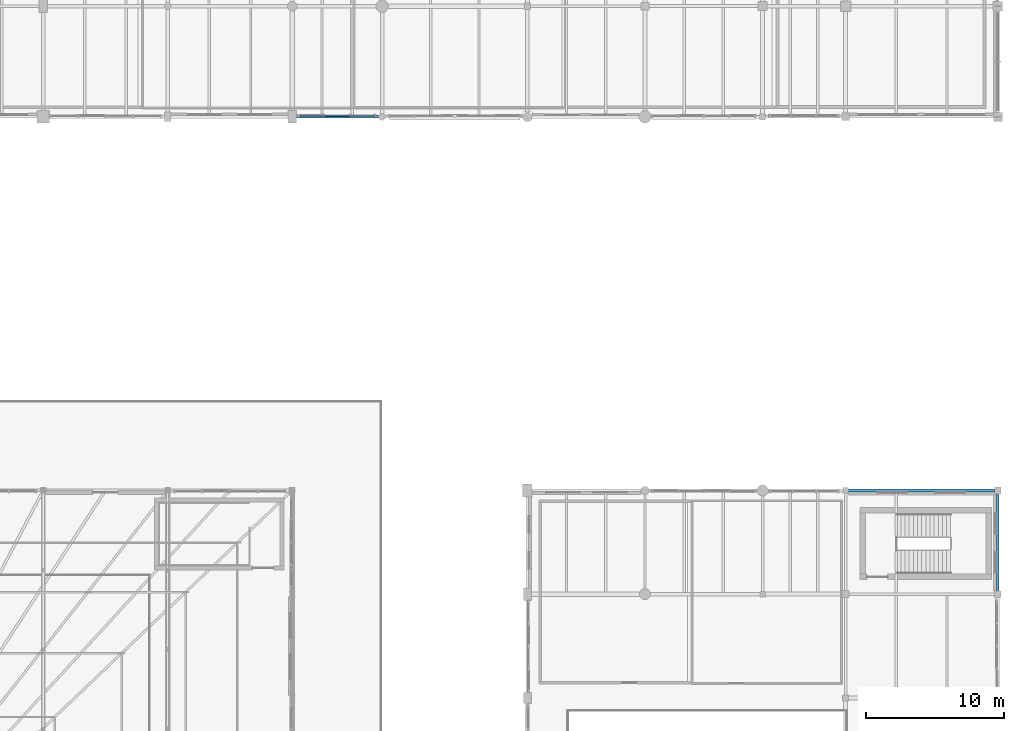
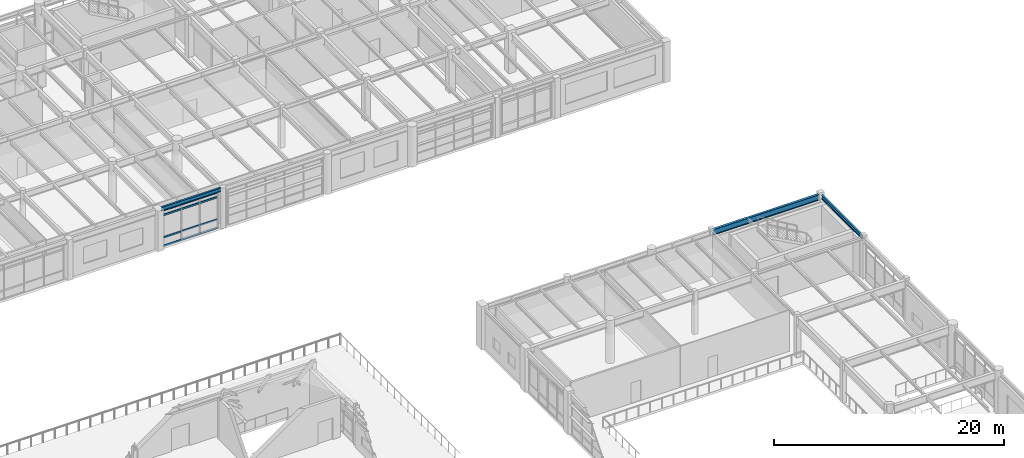
# One storey, part 111 of 168: 4 members, 3 beams, 1 element without a shape of its own.
"""IFC4 building model written with IfcOpenShell, lengths in metres."""

from ifc_helpers import new_model, si_unit, direction, frame, origin, origin_2d, place, context, subcontext, project, spatial, hollow_rectangle, i_section, extrude, material, material_profile, profile_set, type_object, element, aggregate, save


model = new_model("IFC4")

# Units and contexts
model_context = context("Model", 3, precision=1e-05, world=origin(), true_north=direction((0.0, 1.0)))
body_context = subcontext(model_context, "Body", "Model", "MODEL_VIEW")
ifc_project = project(units=[si_unit("LENGTHUNIT", "METRE"), si_unit("AREAUNIT", "SQUARE_METRE"), si_unit("VOLUMEUNIT", "CUBIC_METRE"), si_unit("PLANEANGLEUNIT", "RADIAN"), si_unit("MASSUNIT", "GRAM", prefix="KILO"), si_unit("THERMODYNAMICTEMPERATUREUNIT", "KELVIN"), si_unit("POWERUNIT", "WATT")], contexts=[model_context])

# Site, building, storey
site_placement = place(None, origin())
site = spatial("IfcSite", under=ifc_project, at=site_placement, CompositionType="ELEMENT")
building_placement = place(site_placement, origin())
building = spatial("IfcBuilding", under=site, at=building_placement, Name="Tepalcoro Natatorium and Aquatics Centre", CompositionType="ELEMENT")
storey_placement = place(building_placement, frame((0.0, 0.0, 10.199951171875)))
storey = spatial("IfcBuildingStorey", under=building, at=storey_placement, Name="L02", CompositionType="ELEMENT", Elevation=10.199951171875)

# Curtain wall, members
ifc_material_1 = material(Name="Bronze-Anodised Extruded Aluminium Alloy EN AW-6063 T6", Category="aluminium")
curtain_wall_type = type_object("IfcCurtainWallType", Name="CW_V5_LOWER", PredefinedType="USERDEFINED", material=ifc_material_1)
curtain_wall_placement = place(storey_placement, origin())
curtain_wall = element("IfcCurtainWall", 1, at=curtain_wall_placement, inside=storey, type_object=curtain_wall_type, Name="V5 L02 S Unitised Curtain Wall Bay 4", ObjectType="UNITISED STOREFRONT", PredefinedType="USERDEFINED")
ifc_material_profile_1 = material_profile(ifc_material_1, hollow_rectangle(XDim=0.080078125, YDim=0.179931640625, WallThickness=0.0048828125, at=origin_2d()), Name="AL80X180X5")
ifc_profile_set_1 = profile_set([ifc_material_profile_1], Name="Bronze-Anodised Extruded Aluminium Alloy EN AW-6063 T6")
member_type = type_object("IfcMemberType", Name="CW_TRN_80x180", PredefinedType="USERDEFINED", material=ifc_profile_set_1)
member_1_placement = place(storey_placement, frame((125.530029296875, 86.080078125, 0.050048828125), z_axis=(1.0, 0.0, 0.0), x_axis=(0.0, 1.0, 0.0)))
member_1 = element("IfcMember", 2, at=member_1_placement, type_object=member_type, Name="CW_V5_LOWER Curtain Wall Transom", ObjectType="TRANSOM", PredefinedType="USERDEFINED", context=body_context, shape_type="SweptSolid", body=[
    extrude(hollow_rectangle(XDim=0.080078125, YDim=0.179931640625, WallThickness=0.0048828125, at=origin_2d()), origin(), (0.0, 0.0, 1.0), 5.43994140625),
])
member_2_placement = place(storey_placement, frame((125.530029296875, 86.080078125, 0.949951171875), z_axis=(1.0, 0.0, 0.0), x_axis=(0.0, 1.0, 0.0)))
member_2 = element("IfcMember", 3, at=member_2_placement, type_object=member_type, Name="CW_V5_LOWER Curtain Wall Transom", ObjectType="TRANSOM", PredefinedType="USERDEFINED", context=body_context, shape_type="SweptSolid", body=[
    extrude(hollow_rectangle(XDim=0.080078125, YDim=0.179931640625, WallThickness=0.0048828125, at=origin_2d()), origin(), (0.0, 0.0, 1.0), 5.43994140625),
])
member_3_placement = place(storey_placement, frame((125.530029296875, 86.080078125, 3.30712890625), z_axis=(1.0, 0.0, 0.0), x_axis=(0.0, 1.0, 0.0)))
member_3 = element("IfcMember", 4, at=member_3_placement, type_object=member_type, Name="CW_V5_LOWER Curtain Wall Transom", ObjectType="TRANSOM", PredefinedType="USERDEFINED", context=body_context, shape_type="SweptSolid", body=[
    extrude(hollow_rectangle(XDim=0.080078125, YDim=0.179931640625, WallThickness=0.0048828125, at=origin_2d()), origin(), (0.0, 0.0, 1.0), 5.43994140625),
])
member_4_placement = place(storey_placement, frame((125.530029296875, 86.080078125, 3.80712890625), z_axis=(1.0, 0.0, 0.0), x_axis=(0.0, 1.0, 0.0)))
member_4 = element("IfcMember", 5, at=member_4_placement, type_object=member_type, Name="CW_V5_LOWER Curtain Wall Transom", ObjectType="TRANSOM", PredefinedType="USERDEFINED", context=body_context, shape_type="SweptSolid", body=[
    extrude(hollow_rectangle(XDim=0.080078125, YDim=0.179931640625, WallThickness=0.0048828125, at=origin_2d()), origin(), (0.0, 0.0, 1.0), 5.43994140625),
])
aggregate(curtain_wall, [member_1, member_2, member_3, member_4])

# Beams
ifc_material_2 = material(Name="Steel ASTM A992 Grade 50 (Fy 345 MPa)", Category="steel")
ifc_material_profile_2 = material_profile(ifc_material_2, i_section(OverallWidth=0.179931640625, OverallDepth=0.4130859375, WebThickness=0.010009765625, FlangeThickness=0.01611328125, FilletRadius=0.013916015625, at=origin_2d()), Name="W16X50")
ifc_profile_set_2 = profile_set([ifc_material_profile_2], Name="Steel ASTM A992 Grade 50 (Fy 345 MPa)")
beam_type_1 = type_object("IfcBeamType", Name="SP_HSS300x200x12", PredefinedType="SPANDREL", material=ifc_profile_set_2)
beam_1_placement = place(storey_placement, frame((176.0, 51.7099609375, 4.158447265625), z_axis=(0.0, 1.0, 0.0), x_axis=(-1.0, 0.0, 0.0)))
element("IfcBeam", 6, at=beam_1_placement, inside=storey, type_object=beam_type_1, Name="V2 L02 Grid Girder Y", PredefinedType="SPANDREL", context=body_context, shape_type="SweptSolid", body=[
    extrude(i_section(OverallWidth=0.179931640625, OverallDepth=0.4130859375, WebThickness=0.010009765625, FlangeThickness=0.01611328125, FilletRadius=0.013916015625, at=origin_2d()), origin(), (0.0, 0.0, 1.0), 7.054931640625),
])
beam_2_placement = place(storey_placement, frame((125.284912109375, 86.0, 4.07861328125), z_axis=(1.0, 0.0, 0.0), x_axis=(0.0, 1.0, 0.0)))
element("IfcBeam", 7, at=beam_2_placement, inside=storey, type_object=beam_type_1, Name="V5 L02 Grid Girder X", PredefinedType="SPANDREL", context=body_context, shape_type="SweptSolid", body=[
    extrude(i_section(OverallWidth=0.179931640625, OverallDepth=0.4130859375, WebThickness=0.010009765625, FlangeThickness=0.01611328125, FilletRadius=0.013916015625, at=origin_2d()), origin(), (0.0, 0.0, 1.0), 5.97998046875),
])
ifc_material_profile_3 = material_profile(ifc_material_2, i_section(OverallWidth=0.22900390625, OverallDepth=0.612060546875, WebThickness=0.011962890625, FlangeThickness=0.02001953125, FilletRadius=0.013916015625, at=origin_2d()), Name="W24X84")
ifc_profile_set_3 = profile_set([ifc_material_profile_3], Name="Steel ASTM A992 Grade 50 (Fy 345 MPa)")
beam_type_2 = type_object("IfcBeamType", Name="SP_W24x84", PredefinedType="SPANDREL", material=ifc_profile_set_3)
beam_3_placement = place(storey_placement, frame((165.18505859375, 59.0, 4.05908203125), z_axis=(1.0, 0.0, 0.0), x_axis=(0.0, 1.0, 0.0)))
element("IfcBeam", 8, at=beam_3_placement, inside=storey, type_object=beam_type_2, Name="V2 L02 Grid Girder X", PredefinedType="SPANDREL", context=body_context, shape_type="SweptSolid", body=[
    extrude(i_section(OverallWidth=0.22900390625, OverallDepth=0.612060546875, WebThickness=0.011962890625, FlangeThickness=0.02001953125, FilletRadius=0.013916015625, at=origin_2d()), origin(), (0.0, 0.0, 1.0), 10.579833984375),
])

save(model, "model.ifc")
